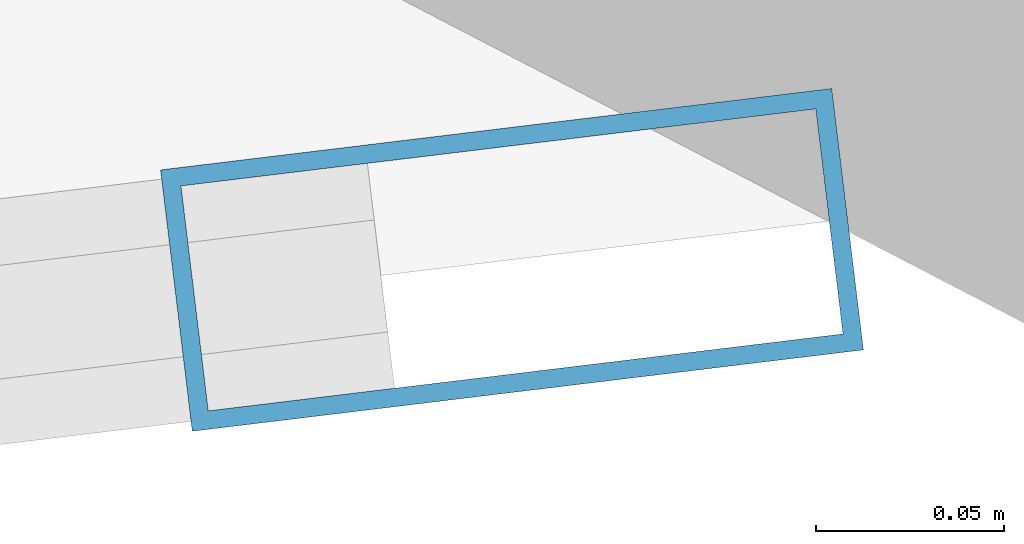
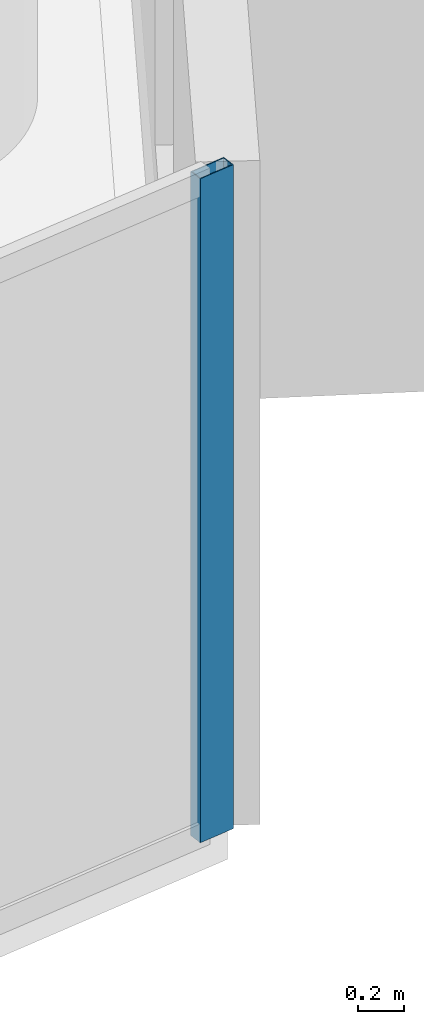
# One storey, part 13 of 24: 1 member, 1 element without a shape of its own.
"""IFC4 building model written with IfcOpenShell, lengths in metres."""

from ifc_helpers import new_model, si_unit, direction, frame, origin, origin_2d, place, context, subcontext, project, spatial, hollow_rectangle, extrude, material, layer, layer_set, material_profile, profile_set, type_object, element, aggregate, save


model = new_model("IFC4")

# Units and contexts
model_context = context("Model", 3, precision=1e-05, world=origin(), true_north=direction((0.0, 1.0)))
body_context = subcontext(model_context, "Body", "Model", "MODEL_VIEW")
ifc_project = project(units=[si_unit("LENGTHUNIT", "METRE"), si_unit("AREAUNIT", "SQUARE_METRE"), si_unit("VOLUMEUNIT", "CUBIC_METRE"), si_unit("PLANEANGLEUNIT", "RADIAN"), si_unit("MASSUNIT", "GRAM", prefix="KILO")], contexts=[model_context])

# Site, building, storey
site_placement = place(None, origin())
site = spatial("IfcSite", under=ifc_project, at=site_placement, CompositionType="ELEMENT")
building_placement = place(site_placement, origin())
building = spatial("IfcBuilding", under=site, at=building_placement, Name="Qianvela Tower", CompositionType="ELEMENT")
storey_placement = place(building_placement, frame((0.0, 0.0, 71.0)))
storey = spatial("IfcBuildingStorey", under=building, at=storey_placement, Name="L17", CompositionType="ELEMENT", Elevation=71.0)

# Curtain wall, member
ifc_material_1 = material(Name="Anodised Architectural Aluminium and Low-E Glass", Category="aluminium")
ifc_layer = layer(ifc_material_1, 0.179931640625)
ifc_layer_set = layer_set([ifc_layer], Name="Anodised Architectural Aluminium and Low-E Glass")
curtain_wall_type = type_object("IfcCurtainWallType", Name="CW-COLIV-Z12", PredefinedType="USERDEFINED", material=ifc_layer_set)
curtain_wall_placement = place(storey_placement, origin())
curtain_wall = element("IfcCurtainWall", 1, at=curtain_wall_placement, inside=storey, type_object=curtain_wall_type, Name="L17 CW-COLIV-Z12 Curtain Wall 06C", ObjectType="CURTAIN_WALL_SYSTEM", PredefinedType="USERDEFINED")
ifc_material_2 = material(Name="Anodised Architectural Aluminium 6063-T6", Category="aluminium")
ifc_material_profile = material_profile(ifc_material_2, hollow_rectangle(XDim=0.070068359375, YDim=0.179931640625, WallThickness=0.0048828125, at=origin_2d()), Name="ALU-MULL-70x180")
ifc_profile_set = profile_set([ifc_material_profile], Name="Anodised Architectural Aluminium 6063-T6")
member_type = type_object("IfcMemberType", Name="CW-COLIV-Z12-MULL", PredefinedType="MULLION", material=ifc_profile_set)
member_placement = place(storey_placement, frame((54.794921875, 14.873046875, 0.0), z_axis=(0.0, 0.0, 1.0), x_axis=(-0.120360451304, 0.992730256294, 0.0)))
member = element("IfcMember", 2, at=member_placement, type_object=member_type, Name="CW-3 mullion 2", PredefinedType="MULLION", context=body_context, shape_type="SweptSolid", body=[
    extrude(hollow_rectangle(XDim=0.070068359375, YDim=0.179931640625, WallThickness=0.0048828125, at=origin_2d()), origin(), (0.0, 0.0, 1.0), 3.52001953125),
])
aggregate(curtain_wall, [member])

save(model, "model.ifc")
